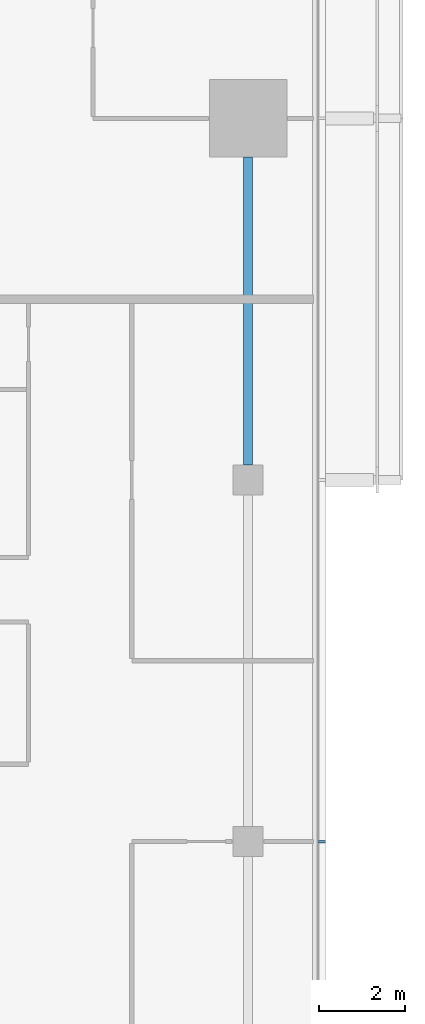
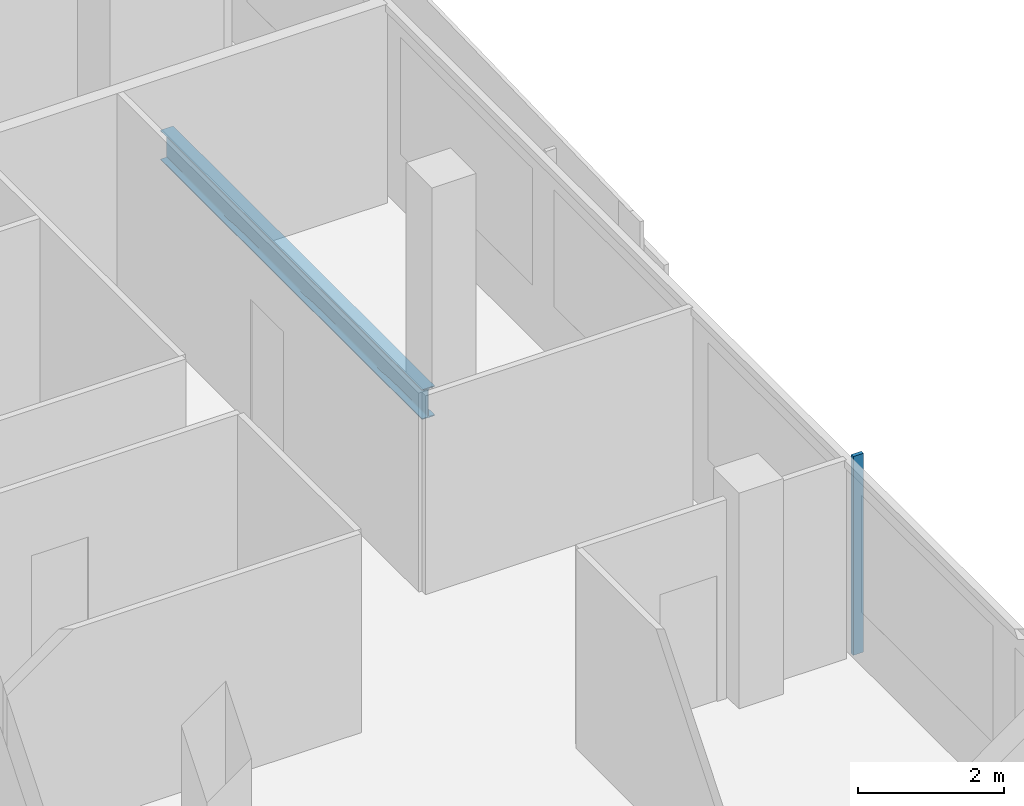
# One storey, part 11 of 29: 1 beam, 1 member, 1 element without a shape of its own.
"""IFC4 building model written with IfcOpenShell, lengths in metres."""

from ifc_helpers import new_model, si_unit, direction, frame, origin, origin_2d, place, context, subcontext, project, spatial, rectangle, i_section, extrude, material, material_profile, profile_set, type_object, element, aggregate, save


model = new_model("IFC4")

# Units and contexts
model_context = context("Model", 3, precision=1e-05, world=origin(), true_north=direction((0.0, 1.0)))
body_context = subcontext(model_context, "Body", "Model", "MODEL_VIEW")
ifc_project = project(units=[si_unit("LENGTHUNIT", "METRE"), si_unit("AREAUNIT", "SQUARE_METRE"), si_unit("VOLUMEUNIT", "CUBIC_METRE"), si_unit("PLANEANGLEUNIT", "RADIAN"), si_unit("MASSUNIT", "GRAM", prefix="KILO")], contexts=[model_context])

# Site, building, storey
site_placement = place(None, origin())
site = spatial("IfcSite", under=ifc_project, at=site_placement, CompositionType="ELEMENT")
building_placement = place(site_placement, origin())
building = spatial("IfcBuilding", under=site, at=building_placement, Name="Saffron Gate Tower", CompositionType="ELEMENT")
storey_placement = place(building_placement, frame((0.0, 0.0, 187.050048828125)))
storey = spatial("IfcBuildingStorey", under=building, at=storey_placement, Name="L46", CompositionType="ELEMENT", Elevation=187.050048828125)

# Beam
ifc_material_1 = material(Name="Structural steel S355", Category="steel")
ifc_material_profile_1 = material_profile(ifc_material_1, i_section(OverallWidth=0.199951171875, OverallDepth=0.5, WebThickness=0.01025390625, FlangeThickness=0.01611328125, FilletRadius=0.02099609375, at=origin_2d()))
ifc_profile_set_1 = profile_set([ifc_material_profile_1], Name="Structural steel S355")
beam_type = type_object("IfcBeamType", Name="B11 IPE 500", PredefinedType="SPANDREL", material=ifc_profile_set_1)
beam_placement = place(storey_placement, frame((125.39990234375, 57.35009765625, -0.530029296875), z_axis=(0.0, 1.0, 0.0), x_axis=(-1.0, 0.0, 0.0)))
element("IfcBeam", 1, at=beam_placement, inside=storey, type_object=beam_type, Name="B11 SPANDREL BEAM", PredefinedType="SPANDREL", context=body_context, shape_type="SweptSolid", body=[
    extrude(i_section(OverallWidth=0.199951171875, OverallDepth=0.5, WebThickness=0.01025390625, FlangeThickness=0.01611328125, FilletRadius=0.02099609375, at=origin_2d()), origin(), (0.0, 0.0, 1.0), 7.14990234375),
])

# Curtain wall, member
ifc_material_2 = material(Name="Aluminium, bronze anodised", Category="aluminium")
curtain_wall_type = type_object("IfcCurtainWallType", Name="CWS2 curtain wall side facades", PredefinedType="NOTDEFINED", material=ifc_material_2)
curtain_wall_placement = place(storey_placement, origin())
curtain_wall = element("IfcCurtainWall", 2, at=curtain_wall_placement, inside=storey, type_object=curtain_wall_type, Name="CWS2 run 4", PredefinedType="NOTDEFINED")
ifc_material_profile_2 = material_profile(ifc_material_2, rectangle(XDim=0.159912109375, YDim=0.06005859375, at=origin_2d()))
ifc_profile_set_2 = profile_set([ifc_material_profile_2], Name="Aluminium, bronze anodised")
member_type = type_object("IfcMemberType", Name="CWS2 mullion 60x160", PredefinedType="MULLION", material=ifc_profile_set_2)
member_placement = place(storey_placement, frame((127.1201171875, 48.60009765625, 0.0), z_axis=(0.0, 0.0, 1.0), x_axis=(-1.0, 0.0, 0.0)))
member = element("IfcMember", 3, at=member_placement, type_object=member_type, Name="CWS2 mullion 3", PredefinedType="MULLION", context=body_context, shape_type="SweptSolid", body=[
    extrude(rectangle(XDim=0.159912109375, YDim=0.06005859375, at=origin_2d()), origin(), (0.0, 0.0, 1.0), 3.320068359375),
])
aggregate(curtain_wall, [member])

save(model, "model.ifc")
